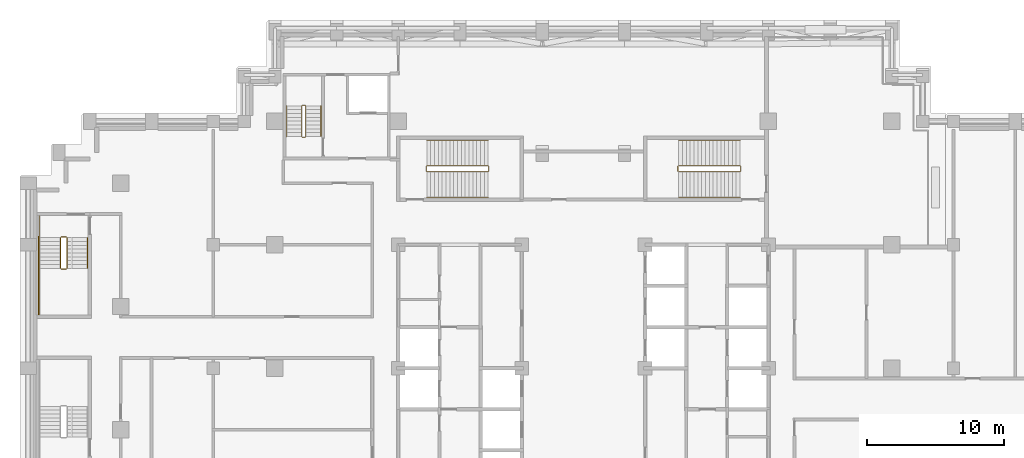
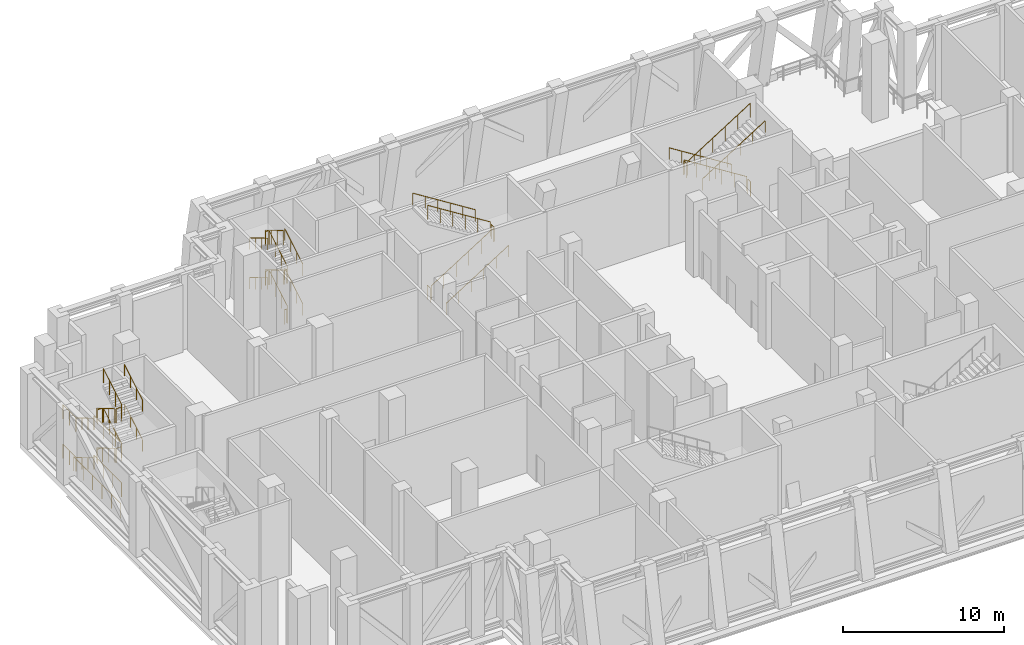
# One storey, part 13 of 14: 4 railings.
"""IFC4 building model written with IfcOpenShell, lengths in metres."""

from ifc_helpers import new_model, si_unit, direction, frame, origin, origin_2d, place, context, subcontext, project, spatial, circle, extrude, material, type_object, element, save


model = new_model("IFC4")

# Units and contexts
model_context = context("Model", 3, precision=1e-05, world=origin(), true_north=direction((0.0, 1.0)))
body_context = subcontext(model_context, "Body", "Model", "MODEL_VIEW")
ifc_project = project(units=[si_unit("LENGTHUNIT", "METRE"), si_unit("AREAUNIT", "SQUARE_METRE"), si_unit("VOLUMEUNIT", "CUBIC_METRE"), si_unit("PLANEANGLEUNIT", "RADIAN"), si_unit("MASSUNIT", "GRAM", prefix="KILO")], contexts=[model_context])

# Site, building, storey
site_placement = place(None, origin())
site = spatial("IfcSite", under=ifc_project, at=site_placement, CompositionType="ELEMENT")
building_placement = place(site_placement, origin())
building = spatial("IfcBuilding", under=site, at=building_placement, Name="Corbelhall Arena Tower", CompositionType="ELEMENT")
storey_placement = place(building_placement, frame((0.0, 0.0, 120.0)))
storey = spatial("IfcBuildingStorey", under=building, at=storey_placement, Name="L22", CompositionType="ELEMENT", Elevation=120.0)

# Railings
ifc_material = material(Name="Steel ASTM A500 Gr C", Category="steel")
railing_type = type_object("IfcRailingType", Name="IN-GD-1100", PredefinedType="GUARDRAIL", material=ifc_material)
railing_1_placement = place(storey_placement, frame((-11.425048828125, 14.324951171875, 0.176513671875)))
element("IfcRailing", 1, at=railing_1_placement, inside=storey, type_object=railing_type, Name="L22 ST1 stair guards and handrails", PredefinedType="GUARDRAIL", context=body_context, shape_type="SweptSolid", body=[
    extrude(circle(Radius=0.02392578125, at=origin_2d()), frame((0.0, 0.0, 1.076171875), z_axis=(0.845997938375, 0.0, 0.533186166611), x_axis=(0.0, 1.0, 0.0)), (0.0, 0.0, 1.0), 5.29541015625),
    extrude(circle(Radius=0.02392578125, at=origin_2d()), frame((4.530029296875, 0.050048828125, 3.8994140625), z_axis=(0.0, 1.0, 0.0), x_axis=(-1.0, 0.0, 0.0)), (0.0, 0.0, 1.0), 0.35009765625),
    extrude(circle(Radius=0.02392578125, at=origin_2d()), frame((4.47998046875, 0.449951171875, 4.076171875), z_axis=(-0.845997938375, 0.0, 0.533186166611), x_axis=(0.0, -1.0, 0.0)), (0.0, 0.0, 1.0), 5.29541015625),
    extrude(circle(Radius=0.02392578125, at=origin_2d()), frame((-0.050048828125, 0.050048828125, 0.8994140625), z_axis=(0.0, 1.0, 0.0), x_axis=(-1.0, 0.0, 0.0)), (0.0, 0.0, 1.0), 0.35009765625),
    extrude(circle(Radius=0.02392578125, at=origin_2d()), frame((0.0, -1.849853515625, 0.8759765625), z_axis=(0.845997938375, 0.0, 0.533186166611), x_axis=(0.0, 1.0, 0.0)), (0.0, 0.0, 1.0), 5.29541015625),
    extrude(circle(Radius=0.02392578125, at=origin_2d()), frame((4.47998046875, 2.300048828125, 3.8759765625), z_axis=(-0.845997938375, 0.0, 0.533186166611), x_axis=(0.0, -1.0, 0.0)), (0.0, 0.0, 1.0), 5.29541015625),
    extrude(circle(Radius=0.02099609375, at=origin_2d()), origin(), (0.0, 0.0, 1.0), 1.052001953125),
    extrude(circle(Radius=0.02099609375, at=origin_2d()), frame((0.89599609375, 0.0, 0.564697265625)), (0.0, 0.0, 1.0), 1.052001953125),
    extrude(circle(Radius=0.02099609375, at=origin_2d()), frame((1.7919921875, 0.0, 1.12939453125)), (0.0, 0.0, 1.0), 1.052001953125),
    extrude(circle(Radius=0.02099609375, at=origin_2d()), frame((2.68798828125, 0.0, 1.694091796875)), (0.0, 0.0, 1.0), 1.052001953125),
    extrude(circle(Radius=0.02099609375, at=origin_2d()), frame((3.583984375, 0.0, 2.2587890625)), (0.0, 0.0, 1.0), 1.052001953125),
    extrude(circle(Radius=0.02099609375, at=origin_2d()), frame((4.47998046875, 0.0, 2.823486328125)), (0.0, 0.0, 1.0), 1.052001953125),
    extrude(circle(Radius=0.02099609375, at=origin_2d()), frame((4.530029296875, 0.050048828125, 2.823486328125)), (0.0, 0.0, 1.0), 1.052001953125),
    extrude(circle(Radius=0.02099609375, at=origin_2d()), frame((4.530029296875, 0.400146484375, 2.823486328125)), (0.0, 0.0, 1.0), 1.052001953125),
    extrude(circle(Radius=0.02099609375, at=origin_2d()), frame((4.47998046875, 0.449951171875, 3.0)), (0.0, 0.0, 1.0), 1.052001953125),
    extrude(circle(Radius=0.02099609375, at=origin_2d()), frame((3.583984375, 0.449951171875, 3.564697265625)), (0.0, 0.0, 1.0), 1.052001953125),
    extrude(circle(Radius=0.02099609375, at=origin_2d()), frame((2.68798828125, 0.449951171875, 4.12939453125)), (0.0, 0.0, 1.0), 1.052001953125),
    extrude(circle(Radius=0.02099609375, at=origin_2d()), frame((1.7919921875, 0.449951171875, 4.694091796875)), (0.0, 0.0, 1.0), 1.052001953125),
    extrude(circle(Radius=0.02099609375, at=origin_2d()), frame((0.89599609375, 0.449951171875, 5.2587890625)), (0.0, 0.0, 1.0), 1.052001953125),
    extrude(circle(Radius=0.02099609375, at=origin_2d()), frame((0.0, 0.449951171875, 5.823486328125)), (0.0, 0.0, 1.0), 1.052001953125),
    extrude(circle(Radius=0.02099609375, at=origin_2d()), frame((-0.050048828125, 0.050048828125, -0.176513671875)), (0.0, 0.0, 1.0), 1.052001953125),
    extrude(circle(Radius=0.02099609375, at=origin_2d()), frame((-0.050048828125, 0.400146484375, -0.176513671875)), (0.0, 0.0, 1.0), 1.052001953125),
    extrude(circle(Radius=0.02099609375, at=origin_2d()), frame((0.0, -1.849853515625, 0.0)), (0.0, 0.0, 1.0), 0.851806640625),
    extrude(circle(Radius=0.02099609375, at=origin_2d()), frame((0.89599609375, -1.849853515625, 0.564697265625)), (0.0, 0.0, 1.0), 0.851806640625),
    extrude(circle(Radius=0.02099609375, at=origin_2d()), frame((1.7919921875, -1.849853515625, 1.12939453125)), (0.0, 0.0, 1.0), 0.851806640625),
    extrude(circle(Radius=0.02099609375, at=origin_2d()), frame((2.68798828125, -1.849853515625, 1.694091796875)), (0.0, 0.0, 1.0), 0.851806640625),
    extrude(circle(Radius=0.02099609375, at=origin_2d()), frame((3.583984375, -1.849853515625, 2.2587890625)), (0.0, 0.0, 1.0), 0.851806640625),
    extrude(circle(Radius=0.02099609375, at=origin_2d()), frame((4.47998046875, -1.849853515625, 2.823486328125)), (0.0, 0.0, 1.0), 0.851806640625),
    extrude(circle(Radius=0.02099609375, at=origin_2d()), frame((4.47998046875, 2.300048828125, 3.0)), (0.0, 0.0, 1.0), 0.851806640625),
    extrude(circle(Radius=0.02099609375, at=origin_2d()), frame((3.583984375, 2.300048828125, 3.564697265625)), (0.0, 0.0, 1.0), 0.851806640625),
    extrude(circle(Radius=0.02099609375, at=origin_2d()), frame((2.68798828125, 2.300048828125, 4.12939453125)), (0.0, 0.0, 1.0), 0.851806640625),
    extrude(circle(Radius=0.02099609375, at=origin_2d()), frame((1.7919921875, 2.300048828125, 4.694091796875)), (0.0, 0.0, 1.0), 0.851806640625),
    extrude(circle(Radius=0.02099609375, at=origin_2d()), frame((0.89599609375, 2.300048828125, 5.2587890625)), (0.0, 0.0, 1.0), 0.851806640625),
    extrude(circle(Radius=0.02099609375, at=origin_2d()), frame((0.0, 2.300048828125, 5.823486328125)), (0.0, 0.0, 1.0), 0.851806640625),
])
railing_2_placement = place(storey_placement, frame((11.425048828125, 14.77490234375, 0.176513671875)))
element("IfcRailing", 2, at=railing_2_placement, inside=storey, type_object=railing_type, Name="L22 ST3 stair guards and handrails", PredefinedType="GUARDRAIL", context=body_context, shape_type="SweptSolid", body=[
    extrude(circle(Radius=0.02392578125, at=origin_2d()), frame((0.0, 0.0, 1.076171875), z_axis=(-0.845997938375, 0.0, 0.533186166611), x_axis=(0.0, -1.0, 0.0)), (0.0, 0.0, 1.0), 5.29541015625),
    extrude(circle(Radius=0.02392578125, at=origin_2d()), frame((-4.530029296875, -0.0498046875, 3.8994140625), z_axis=(0.0, -1.0, 0.0), x_axis=(1.0, 0.0, 0.0)), (0.0, 0.0, 1.0), 0.35009765625),
    extrude(circle(Radius=0.02392578125, at=origin_2d()), frame((-4.47998046875, -0.449951171875, 4.076171875), z_axis=(0.845997938375, 0.0, 0.533186166611), x_axis=(0.0, 1.0, 0.0)), (0.0, 0.0, 1.0), 5.29541015625),
    extrude(circle(Radius=0.02392578125, at=origin_2d()), frame((0.050048828125, -0.0498046875, 0.8994140625), z_axis=(0.0, -1.0, 0.0), x_axis=(1.0, 0.0, 0.0)), (0.0, 0.0, 1.0), 0.35009765625),
    extrude(circle(Radius=0.02392578125, at=origin_2d()), frame((0.0, 1.85009765625, 0.8759765625), z_axis=(-0.845997938375, 0.0, 0.533186166611), x_axis=(0.0, -1.0, 0.0)), (0.0, 0.0, 1.0), 5.29541015625),
    extrude(circle(Radius=0.02392578125, at=origin_2d()), frame((-4.47998046875, -2.2998046875, 3.8759765625), z_axis=(0.845997938375, 0.0, 0.533186166611), x_axis=(0.0, 1.0, 0.0)), (0.0, 0.0, 1.0), 5.29541015625),
    extrude(circle(Radius=0.02099609375, at=origin_2d()), origin(), (0.0, 0.0, 1.0), 1.052001953125),
    extrude(circle(Radius=0.02099609375, at=origin_2d()), frame((-0.89599609375, 0.0, 0.564697265625)), (0.0, 0.0, 1.0), 1.052001953125),
    extrude(circle(Radius=0.02099609375, at=origin_2d()), frame((-1.7919921875, 0.0, 1.12939453125)), (0.0, 0.0, 1.0), 1.052001953125),
    extrude(circle(Radius=0.02099609375, at=origin_2d()), frame((-2.68798828125, 0.0, 1.694091796875)), (0.0, 0.0, 1.0), 1.052001953125),
    extrude(circle(Radius=0.02099609375, at=origin_2d()), frame((-3.583984375, 0.0, 2.2587890625)), (0.0, 0.0, 1.0), 1.052001953125),
    extrude(circle(Radius=0.02099609375, at=origin_2d()), frame((-4.47998046875, 0.0, 2.823486328125)), (0.0, 0.0, 1.0), 1.052001953125),
    extrude(circle(Radius=0.02099609375, at=origin_2d()), frame((-4.530029296875, -0.0498046875, 2.823486328125)), (0.0, 0.0, 1.0), 1.052001953125),
    extrude(circle(Radius=0.02099609375, at=origin_2d()), frame((-4.530029296875, -0.39990234375, 2.823486328125)), (0.0, 0.0, 1.0), 1.052001953125),
    extrude(circle(Radius=0.02099609375, at=origin_2d()), frame((-4.47998046875, -0.449951171875, 3.0)), (0.0, 0.0, 1.0), 1.052001953125),
    extrude(circle(Radius=0.02099609375, at=origin_2d()), frame((-3.583984375, -0.449951171875, 3.564697265625)), (0.0, 0.0, 1.0), 1.052001953125),
    extrude(circle(Radius=0.02099609375, at=origin_2d()), frame((-2.68798828125, -0.449951171875, 4.12939453125)), (0.0, 0.0, 1.0), 1.052001953125),
    extrude(circle(Radius=0.02099609375, at=origin_2d()), frame((-1.7919921875, -0.449951171875, 4.694091796875)), (0.0, 0.0, 1.0), 1.052001953125),
    extrude(circle(Radius=0.02099609375, at=origin_2d()), frame((-0.89599609375, -0.449951171875, 5.2587890625)), (0.0, 0.0, 1.0), 1.052001953125),
    extrude(circle(Radius=0.02099609375, at=origin_2d()), frame((0.0, -0.449951171875, 5.823486328125)), (0.0, 0.0, 1.0), 1.052001953125),
    extrude(circle(Radius=0.02099609375, at=origin_2d()), frame((0.050048828125, -0.0498046875, -0.176513671875)), (0.0, 0.0, 1.0), 1.052001953125),
    extrude(circle(Radius=0.02099609375, at=origin_2d()), frame((0.050048828125, -0.39990234375, -0.176513671875)), (0.0, 0.0, 1.0), 1.052001953125),
    extrude(circle(Radius=0.02099609375, at=origin_2d()), frame((0.0, 1.85009765625, 0.0)), (0.0, 0.0, 1.0), 0.851806640625),
    extrude(circle(Radius=0.02099609375, at=origin_2d()), frame((-0.89599609375, 1.85009765625, 0.564697265625)), (0.0, 0.0, 1.0), 0.851806640625),
    extrude(circle(Radius=0.02099609375, at=origin_2d()), frame((-1.7919921875, 1.85009765625, 1.12939453125)), (0.0, 0.0, 1.0), 0.851806640625),
    extrude(circle(Radius=0.02099609375, at=origin_2d()), frame((-2.68798828125, 1.85009765625, 1.694091796875)), (0.0, 0.0, 1.0), 0.851806640625),
    extrude(circle(Radius=0.02099609375, at=origin_2d()), frame((-3.583984375, 1.85009765625, 2.2587890625)), (0.0, 0.0, 1.0), 0.851806640625),
    extrude(circle(Radius=0.02099609375, at=origin_2d()), frame((-4.47998046875, 1.85009765625, 2.823486328125)), (0.0, 0.0, 1.0), 0.851806640625),
    extrude(circle(Radius=0.02099609375, at=origin_2d()), frame((-4.47998046875, -2.2998046875, 3.0)), (0.0, 0.0, 1.0), 0.851806640625),
    extrude(circle(Radius=0.02099609375, at=origin_2d()), frame((-3.583984375, -2.2998046875, 3.564697265625)), (0.0, 0.0, 1.0), 0.851806640625),
    extrude(circle(Radius=0.02099609375, at=origin_2d()), frame((-2.68798828125, -2.2998046875, 4.12939453125)), (0.0, 0.0, 1.0), 0.851806640625),
    extrude(circle(Radius=0.02099609375, at=origin_2d()), frame((-1.7919921875, -2.2998046875, 4.694091796875)), (0.0, 0.0, 1.0), 0.851806640625),
    extrude(circle(Radius=0.02099609375, at=origin_2d()), frame((-0.89599609375, -2.2998046875, 5.2587890625)), (0.0, 0.0, 1.0), 0.851806640625),
    extrude(circle(Radius=0.02099609375, at=origin_2d()), frame((0.0, -2.2998046875, 5.823486328125)), (0.0, 0.0, 1.0), 0.851806640625),
])
railing_3_placement = place(storey_placement, frame((-38.14990234375, 9.52490234375, 0.166748046875)))
element("IfcRailing", 3, at=railing_3_placement, inside=storey, type_object=railing_type, Name="L22 SC1 stair guards and handrails", PredefinedType="GUARDRAIL", context=body_context, shape_type="SweptSolid", body=[
    extrude(circle(Radius=0.02392578125, at=origin_2d()), frame((0.0, 0.0, 1.076171875), z_axis=(0.0, -0.859305625298, 0.511462454469), x_axis=(1.0, 0.0, 0.0)), (0.0, 0.0, 1.0), 2.606689453125),
    extrude(circle(Radius=0.02392578125, at=origin_2d()), frame((0.0498046875, -2.289794921875, 2.4091796875), z_axis=(1.0, 0.0, 0.0), x_axis=(0.0, 1.0, 0.0)), (0.0, 0.0, 1.0), 0.375),
    extrude(circle(Radius=0.02392578125, at=origin_2d()), frame((-1.5, -2.239990234375, 2.4091796875), z_axis=(0.0, -1.0, 0.0), x_axis=(1.0, 0.0, 0.0)), (0.0, 0.0, 1.0), 3.409912109375),
    extrude(circle(Radius=0.02392578125, at=origin_2d()), frame((0.474853515625, -2.239990234375, 2.576171875), z_axis=(0.0, 0.859305625298, 0.511462454469), x_axis=(-1.0, 0.0, 0.0)), (0.0, 0.0, 1.0), 2.606689453125),
    extrude(circle(Radius=0.02392578125, at=origin_2d()), frame((0.0498046875, 0.050048828125, 3.9091796875), z_axis=(1.0, 0.0, 0.0), x_axis=(0.0, 1.0, 0.0)), (0.0, 0.0, 1.0), 0.375),
    extrude(circle(Radius=0.02392578125, at=origin_2d()), frame((-1.5, 1.60009765625, 3.9091796875), z_axis=(0.0, -1.0, 0.0), x_axis=(1.0, 0.0, 0.0)), (0.0, 0.0, 1.0), 1.60009765625),
    extrude(circle(Radius=0.02392578125, at=origin_2d()), frame((0.0, 0.0, 4.076171875), z_axis=(0.0, -0.859305625298, 0.511462454469), x_axis=(1.0, 0.0, 0.0)), (0.0, 0.0, 1.0), 2.606689453125),
    extrude(circle(Radius=0.02392578125, at=origin_2d()), frame((0.0498046875, -2.289794921875, 5.4091796875), z_axis=(1.0, 0.0, 0.0), x_axis=(0.0, 1.0, 0.0)), (0.0, 0.0, 1.0), 0.375),
    extrude(circle(Radius=0.02392578125, at=origin_2d()), frame((-1.5, -2.239990234375, 5.4091796875), z_axis=(0.0, -1.0, 0.0), x_axis=(1.0, 0.0, 0.0)), (0.0, 0.0, 1.0), 3.409912109375),
    extrude(circle(Radius=0.02392578125, at=origin_2d()), frame((0.474853515625, -2.239990234375, 5.576171875), z_axis=(0.0, 0.859305625298, 0.511462454469), x_axis=(-1.0, 0.0, 0.0)), (0.0, 0.0, 1.0), 2.606689453125),
    extrude(circle(Radius=0.02392578125, at=origin_2d()), frame((0.0498046875, 0.050048828125, 0.9091796875), z_axis=(1.0, 0.0, 0.0), x_axis=(0.0, 1.0, 0.0)), (0.0, 0.0, 1.0), 0.375),
    extrude(circle(Radius=0.02392578125, at=origin_2d()), frame((-1.5, 1.60009765625, 0.9091796875), z_axis=(0.0, -1.0, 0.0), x_axis=(1.0, 0.0, 0.0)), (0.0, 0.0, 1.0), 1.60009765625),
    extrude(circle(Radius=0.02392578125, at=origin_2d()), frame((-1.60009765625, 0.10009765625, 0.9091796875), z_axis=(0.0, -1.0, 0.0), x_axis=(1.0, 0.0, 0.0)), (0.0, 0.0, 1.0), 5.85009765625),
    extrude(circle(Radius=0.02392578125, at=origin_2d()), frame((-1.5, 0.0, 0.8759765625), z_axis=(0.0, -0.859305625298, 0.511462454469), x_axis=(1.0, 0.0, 0.0)), (0.0, 0.0, 1.0), 2.606689453125),
    extrude(circle(Radius=0.02392578125, at=origin_2d()), frame((1.974853515625, -2.239990234375, 2.3759765625), z_axis=(0.0, 0.859305625298, 0.511462454469), x_axis=(-1.0, 0.0, 0.0)), (0.0, 0.0, 1.0), 2.606689453125),
    extrude(circle(Radius=0.02392578125, at=origin_2d()), frame((-1.5, 0.0, 3.8759765625), z_axis=(0.0, -0.859305625298, 0.511462454469), x_axis=(1.0, 0.0, 0.0)), (0.0, 0.0, 1.0), 2.606689453125),
    extrude(circle(Radius=0.02392578125, at=origin_2d()), frame((1.974853515625, -2.239990234375, 5.3759765625), z_axis=(0.0, 0.859305625298, 0.511462454469), x_axis=(-1.0, 0.0, 0.0)), (0.0, 0.0, 1.0), 2.606689453125),
    extrude(circle(Radius=0.02099609375, at=origin_2d()), origin(), (0.0, 0.0, 1.0), 1.052001953125),
    extrude(circle(Radius=0.02099609375, at=origin_2d()), frame((0.0, -0.74658203125, 0.4443359375)), (0.0, 0.0, 1.0), 1.052001953125),
    extrude(circle(Radius=0.02099609375, at=origin_2d()), frame((0.0, -1.493408203125, 0.888916015625)), (0.0, 0.0, 1.0), 1.052001953125),
    extrude(circle(Radius=0.02099609375, at=origin_2d()), frame((0.0, -2.239990234375, 1.333251953125)), (0.0, 0.0, 1.0), 1.052001953125),
    extrude(circle(Radius=0.02099609375, at=origin_2d()), frame((0.0498046875, -2.289794921875, 1.333251953125)), (0.0, 0.0, 1.0), 1.052001953125),
    extrude(circle(Radius=0.02099609375, at=origin_2d()), frame((0.4248046875, -2.289794921875, 1.333251953125)), (0.0, 0.0, 1.0), 1.052001953125),
    extrude(circle(Radius=0.02099609375, at=origin_2d()), frame((-1.5, -2.239990234375, 1.333251953125)), (0.0, 0.0, 1.0), 1.052001953125),
    extrude(circle(Radius=0.02099609375, at=origin_2d()), frame((-1.5, -3.376708984375, 1.333251953125)), (0.0, 0.0, 1.0), 1.052001953125),
    extrude(circle(Radius=0.02099609375, at=origin_2d()), frame((-1.5, -4.51318359375, 1.333251953125)), (0.0, 0.0, 1.0), 1.052001953125),
    extrude(circle(Radius=0.02099609375, at=origin_2d()), frame((-1.5, -5.64990234375, 1.333251953125)), (0.0, 0.0, 1.0), 1.052001953125),
    extrude(circle(Radius=0.02099609375, at=origin_2d()), frame((0.474853515625, -2.239990234375, 1.5)), (0.0, 0.0, 1.0), 1.052001953125),
    extrude(circle(Radius=0.02099609375, at=origin_2d()), frame((0.474853515625, -1.493408203125, 1.9443359375)), (0.0, 0.0, 1.0), 1.052001953125),
    extrude(circle(Radius=0.02099609375, at=origin_2d()), frame((0.474853515625, -0.74658203125, 2.388916015625)), (0.0, 0.0, 1.0), 1.052001953125),
    extrude(circle(Radius=0.02099609375, at=origin_2d()), frame((0.474853515625, 0.0, 2.833251953125)), (0.0, 0.0, 1.0), 1.052001953125),
    extrude(circle(Radius=0.02099609375, at=origin_2d()), frame((0.0498046875, 0.050048828125, 2.833251953125)), (0.0, 0.0, 1.0), 1.052001953125),
    extrude(circle(Radius=0.02099609375, at=origin_2d()), frame((0.4248046875, 0.050048828125, 2.833251953125)), (0.0, 0.0, 1.0), 1.052001953125),
    extrude(circle(Radius=0.02099609375, at=origin_2d()), frame((-1.5, 1.60009765625, 2.833251953125)), (0.0, 0.0, 1.0), 1.052001953125),
    extrude(circle(Radius=0.02099609375, at=origin_2d()), frame((-1.5, 0.800048828125, 2.833251953125)), (0.0, 0.0, 1.0), 1.052001953125),
    extrude(circle(Radius=0.02099609375, at=origin_2d()), frame((-1.5, 0.0, 2.833251953125)), (0.0, 0.0, 1.0), 1.052001953125),
    extrude(circle(Radius=0.02099609375, at=origin_2d()), frame((0.0, 0.0, 3.0)), (0.0, 0.0, 1.0), 1.052001953125),
    extrude(circle(Radius=0.02099609375, at=origin_2d()), frame((0.0, -0.74658203125, 3.4443359375)), (0.0, 0.0, 1.0), 1.052001953125),
    extrude(circle(Radius=0.02099609375, at=origin_2d()), frame((0.0, -1.493408203125, 3.888916015625)), (0.0, 0.0, 1.0), 1.052001953125),
    extrude(circle(Radius=0.02099609375, at=origin_2d()), frame((0.0, -2.239990234375, 4.333251953125)), (0.0, 0.0, 1.0), 1.052001953125),
    extrude(circle(Radius=0.02099609375, at=origin_2d()), frame((0.0498046875, -2.289794921875, 4.333251953125)), (0.0, 0.0, 1.0), 1.052001953125),
    extrude(circle(Radius=0.02099609375, at=origin_2d()), frame((0.4248046875, -2.289794921875, 4.333251953125)), (0.0, 0.0, 1.0), 1.052001953125),
    extrude(circle(Radius=0.02099609375, at=origin_2d()), frame((-1.5, -2.239990234375, 4.333251953125)), (0.0, 0.0, 1.0), 1.052001953125),
    extrude(circle(Radius=0.02099609375, at=origin_2d()), frame((-1.5, -3.376708984375, 4.333251953125)), (0.0, 0.0, 1.0), 1.052001953125),
    extrude(circle(Radius=0.02099609375, at=origin_2d()), frame((-1.5, -4.51318359375, 4.333251953125)), (0.0, 0.0, 1.0), 1.052001953125),
    extrude(circle(Radius=0.02099609375, at=origin_2d()), frame((-1.5, -5.64990234375, 4.333251953125)), (0.0, 0.0, 1.0), 1.052001953125),
    extrude(circle(Radius=0.02099609375, at=origin_2d()), frame((0.474853515625, -2.239990234375, 4.5)), (0.0, 0.0, 1.0), 1.052001953125),
    extrude(circle(Radius=0.02099609375, at=origin_2d()), frame((0.474853515625, -1.493408203125, 4.9443359375)), (0.0, 0.0, 1.0), 1.052001953125),
    extrude(circle(Radius=0.02099609375, at=origin_2d()), frame((0.474853515625, -0.74658203125, 5.388916015625)), (0.0, 0.0, 1.0), 1.052001953125),
    extrude(circle(Radius=0.02099609375, at=origin_2d()), frame((0.474853515625, 0.0, 5.833251953125)), (0.0, 0.0, 1.0), 1.052001953125),
    extrude(circle(Radius=0.02099609375, at=origin_2d()), frame((0.0498046875, 0.050048828125, -0.166748046875)), (0.0, 0.0, 1.0), 1.052001953125),
    extrude(circle(Radius=0.02099609375, at=origin_2d()), frame((0.4248046875, 0.050048828125, -0.166748046875)), (0.0, 0.0, 1.0), 1.052001953125),
    extrude(circle(Radius=0.02099609375, at=origin_2d()), frame((-1.5, 1.60009765625, -0.166748046875)), (0.0, 0.0, 1.0), 1.052001953125),
    extrude(circle(Radius=0.02099609375, at=origin_2d()), frame((-1.5, 0.800048828125, -0.166748046875)), (0.0, 0.0, 1.0), 1.052001953125),
    extrude(circle(Radius=0.02099609375, at=origin_2d()), frame((-1.5, 0.0, -0.166748046875)), (0.0, 0.0, 1.0), 1.052001953125),
    extrude(circle(Radius=0.02099609375, at=origin_2d()), frame((-1.60009765625, 0.10009765625, -0.166748046875)), (0.0, 0.0, 1.0), 1.052001953125),
    extrude(circle(Radius=0.02099609375, at=origin_2d()), frame((-1.60009765625, -1.06982421875, -0.166748046875)), (0.0, 0.0, 1.0), 1.052001953125),
    extrude(circle(Radius=0.02099609375, at=origin_2d()), frame((-1.60009765625, -2.239990234375, -0.166748046875)), (0.0, 0.0, 1.0), 1.052001953125),
    extrude(circle(Radius=0.02099609375, at=origin_2d()), frame((-1.60009765625, -3.409912109375, -0.166748046875)), (0.0, 0.0, 1.0), 1.052001953125),
    extrude(circle(Radius=0.02099609375, at=origin_2d()), frame((-1.60009765625, -4.580078125, -0.166748046875)), (0.0, 0.0, 1.0), 1.052001953125),
    extrude(circle(Radius=0.02099609375, at=origin_2d()), frame((-1.60009765625, -5.75, -0.166748046875)), (0.0, 0.0, 1.0), 1.052001953125),
    extrude(circle(Radius=0.02099609375, at=origin_2d()), frame((-1.5, 0.0, 0.0)), (0.0, 0.0, 1.0), 0.851806640625),
    extrude(circle(Radius=0.02099609375, at=origin_2d()), frame((-1.5, -0.74658203125, 0.4443359375)), (0.0, 0.0, 1.0), 0.851806640625),
    extrude(circle(Radius=0.02099609375, at=origin_2d()), frame((-1.5, -1.493408203125, 0.888916015625)), (0.0, 0.0, 1.0), 0.851806640625),
    extrude(circle(Radius=0.02099609375, at=origin_2d()), frame((1.974853515625, -2.239990234375, 1.5)), (0.0, 0.0, 1.0), 0.851806640625),
    extrude(circle(Radius=0.02099609375, at=origin_2d()), frame((1.974853515625, -1.493408203125, 1.9443359375)), (0.0, 0.0, 1.0), 0.851806640625),
    extrude(circle(Radius=0.02099609375, at=origin_2d()), frame((1.974853515625, -0.74658203125, 2.388916015625)), (0.0, 0.0, 1.0), 0.851806640625),
    extrude(circle(Radius=0.02099609375, at=origin_2d()), frame((1.974853515625, 0.0, 2.833251953125)), (0.0, 0.0, 1.0), 0.851806640625),
    extrude(circle(Radius=0.02099609375, at=origin_2d()), frame((-1.5, 0.0, 3.0)), (0.0, 0.0, 1.0), 0.851806640625),
    extrude(circle(Radius=0.02099609375, at=origin_2d()), frame((-1.5, -0.74658203125, 3.4443359375)), (0.0, 0.0, 1.0), 0.851806640625),
    extrude(circle(Radius=0.02099609375, at=origin_2d()), frame((-1.5, -1.493408203125, 3.888916015625)), (0.0, 0.0, 1.0), 0.851806640625),
    extrude(circle(Radius=0.02099609375, at=origin_2d()), frame((1.974853515625, -2.239990234375, 4.5)), (0.0, 0.0, 1.0), 0.851806640625),
    extrude(circle(Radius=0.02099609375, at=origin_2d()), frame((1.974853515625, -1.493408203125, 4.9443359375)), (0.0, 0.0, 1.0), 0.851806640625),
    extrude(circle(Radius=0.02099609375, at=origin_2d()), frame((1.974853515625, -0.74658203125, 5.388916015625)), (0.0, 0.0, 1.0), 0.851806640625),
    extrude(circle(Radius=0.02099609375, at=origin_2d()), frame((1.974853515625, 0.0, 5.833251953125)), (0.0, 0.0, 1.0), 0.851806640625),
])
railing_4_placement = place(storey_placement, frame((-20.2451171875, 16.89990234375, 0.166748046875)))
element("IfcRailing", 4, at=railing_4_placement, inside=storey, type_object=railing_type, Name="L22 ST5 stair guards and handrails", PredefinedType="GUARDRAIL", context=body_context, shape_type="SweptSolid", body=[
    extrude(circle(Radius=0.02392578125, at=origin_2d()), frame((0.0, 0.0, 1.076171875), z_axis=(0.0, 0.859305625298, 0.511462454469), x_axis=(-1.0, 0.0, 0.0)), (0.0, 0.0, 1.0), 2.606689453125),
    extrude(circle(Radius=0.02392578125, at=origin_2d()), frame((-0.0498046875, 2.2900390625, 2.4091796875), z_axis=(-1.0, 0.0, 0.0), x_axis=(0.0, -1.0, 0.0)), (0.0, 0.0, 1.0), 0.2001953125),
    extrude(circle(Radius=0.02392578125, at=origin_2d()), frame((-0.2998046875, 2.239990234375, 2.576171875), z_axis=(0.0, -0.859305625298, 0.511462454469), x_axis=(1.0, 0.0, 0.0)), (0.0, 0.0, 1.0), 2.606689453125),
    extrude(circle(Radius=0.02392578125, at=origin_2d()), frame((-0.0498046875, -0.0498046875, 3.9091796875), z_axis=(-1.0, 0.0, 0.0), x_axis=(0.0, -1.0, 0.0)), (0.0, 0.0, 1.0), 0.2001953125),
    extrude(circle(Radius=0.02392578125, at=origin_2d()), frame((0.0, 0.0, 4.076171875), z_axis=(0.0, 0.859305625298, 0.511462454469), x_axis=(-1.0, 0.0, 0.0)), (0.0, 0.0, 1.0), 2.606689453125),
    extrude(circle(Radius=0.02392578125, at=origin_2d()), frame((-0.0498046875, 2.2900390625, 5.4091796875), z_axis=(-1.0, 0.0, 0.0), x_axis=(0.0, -1.0, 0.0)), (0.0, 0.0, 1.0), 0.2001953125),
    extrude(circle(Radius=0.02392578125, at=origin_2d()), frame((-0.2998046875, 2.239990234375, 5.576171875), z_axis=(0.0, -0.859305625298, 0.511462454469), x_axis=(1.0, 0.0, 0.0)), (0.0, 0.0, 1.0), 2.606689453125),
    extrude(circle(Radius=0.02392578125, at=origin_2d()), frame((-0.0498046875, -0.0498046875, 0.9091796875), z_axis=(-1.0, 0.0, 0.0), x_axis=(0.0, -1.0, 0.0)), (0.0, 0.0, 1.0), 0.2001953125),
    extrude(circle(Radius=0.02392578125, at=origin_2d()), frame((1.10009765625, 0.0, 0.8759765625), z_axis=(0.0, 0.859305625298, 0.511462454469), x_axis=(-1.0, 0.0, 0.0)), (0.0, 0.0, 1.0), 2.606689453125),
    extrude(circle(Radius=0.02392578125, at=origin_2d()), frame((-1.39990234375, 2.239990234375, 2.3759765625), z_axis=(0.0, -0.859305625298, 0.511462454469), x_axis=(1.0, 0.0, 0.0)), (0.0, 0.0, 1.0), 2.606689453125),
    extrude(circle(Radius=0.02392578125, at=origin_2d()), frame((1.10009765625, 0.0, 3.8759765625), z_axis=(0.0, 0.859305625298, 0.511462454469), x_axis=(-1.0, 0.0, 0.0)), (0.0, 0.0, 1.0), 2.606689453125),
    extrude(circle(Radius=0.02392578125, at=origin_2d()), frame((-1.39990234375, 2.239990234375, 5.3759765625), z_axis=(0.0, -0.859305625298, 0.511462454469), x_axis=(1.0, 0.0, 0.0)), (0.0, 0.0, 1.0), 2.606689453125),
    extrude(circle(Radius=0.02099609375, at=origin_2d()), origin(), (0.0, 0.0, 1.0), 1.052001953125),
    extrude(circle(Radius=0.02099609375, at=origin_2d()), frame((0.0, 0.74658203125, 0.4443359375)), (0.0, 0.0, 1.0), 1.052001953125),
    extrude(circle(Radius=0.02099609375, at=origin_2d()), frame((0.0, 1.493408203125, 0.888916015625)), (0.0, 0.0, 1.0), 1.052001953125),
    extrude(circle(Radius=0.02099609375, at=origin_2d()), frame((0.0, 2.239990234375, 1.333251953125)), (0.0, 0.0, 1.0), 1.052001953125),
    extrude(circle(Radius=0.02099609375, at=origin_2d()), frame((-0.0498046875, 2.2900390625, 1.333251953125)), (0.0, 0.0, 1.0), 1.052001953125),
    extrude(circle(Radius=0.02099609375, at=origin_2d()), frame((-0.25, 2.2900390625, 1.333251953125)), (0.0, 0.0, 1.0), 1.052001953125),
    extrude(circle(Radius=0.02099609375, at=origin_2d()), frame((-0.2998046875, 2.239990234375, 1.5)), (0.0, 0.0, 1.0), 1.052001953125),
    extrude(circle(Radius=0.02099609375, at=origin_2d()), frame((-0.2998046875, 1.493408203125, 1.9443359375)), (0.0, 0.0, 1.0), 1.052001953125),
    extrude(circle(Radius=0.02099609375, at=origin_2d()), frame((-0.2998046875, 0.74658203125, 2.388916015625)), (0.0, 0.0, 1.0), 1.052001953125),
    extrude(circle(Radius=0.02099609375, at=origin_2d()), frame((-0.2998046875, 0.0, 2.833251953125)), (0.0, 0.0, 1.0), 1.052001953125),
    extrude(circle(Radius=0.02099609375, at=origin_2d()), frame((-0.0498046875, -0.0498046875, 2.833251953125)), (0.0, 0.0, 1.0), 1.052001953125),
    extrude(circle(Radius=0.02099609375, at=origin_2d()), frame((-0.25, -0.0498046875, 2.833251953125)), (0.0, 0.0, 1.0), 1.052001953125),
    extrude(circle(Radius=0.02099609375, at=origin_2d()), frame((0.0, 0.0, 3.0)), (0.0, 0.0, 1.0), 1.052001953125),
    extrude(circle(Radius=0.02099609375, at=origin_2d()), frame((0.0, 0.74658203125, 3.4443359375)), (0.0, 0.0, 1.0), 1.052001953125),
    extrude(circle(Radius=0.02099609375, at=origin_2d()), frame((0.0, 1.493408203125, 3.888916015625)), (0.0, 0.0, 1.0), 1.052001953125),
    extrude(circle(Radius=0.02099609375, at=origin_2d()), frame((0.0, 2.239990234375, 4.333251953125)), (0.0, 0.0, 1.0), 1.052001953125),
    extrude(circle(Radius=0.02099609375, at=origin_2d()), frame((-0.0498046875, 2.2900390625, 4.333251953125)), (0.0, 0.0, 1.0), 1.052001953125),
    extrude(circle(Radius=0.02099609375, at=origin_2d()), frame((-0.25, 2.2900390625, 4.333251953125)), (0.0, 0.0, 1.0), 1.052001953125),
    extrude(circle(Radius=0.02099609375, at=origin_2d()), frame((-0.2998046875, 2.239990234375, 4.5)), (0.0, 0.0, 1.0), 1.052001953125),
    extrude(circle(Radius=0.02099609375, at=origin_2d()), frame((-0.2998046875, 1.493408203125, 4.9443359375)), (0.0, 0.0, 1.0), 1.052001953125),
    extrude(circle(Radius=0.02099609375, at=origin_2d()), frame((-0.2998046875, 0.74658203125, 5.388916015625)), (0.0, 0.0, 1.0), 1.052001953125),
    extrude(circle(Radius=0.02099609375, at=origin_2d()), frame((-0.2998046875, 0.0, 5.833251953125)), (0.0, 0.0, 1.0), 1.052001953125),
    extrude(circle(Radius=0.02099609375, at=origin_2d()), frame((-0.0498046875, -0.0498046875, -0.166748046875)), (0.0, 0.0, 1.0), 1.052001953125),
    extrude(circle(Radius=0.02099609375, at=origin_2d()), frame((-0.25, -0.0498046875, -0.166748046875)), (0.0, 0.0, 1.0), 1.052001953125),
    extrude(circle(Radius=0.02099609375, at=origin_2d()), frame((1.10009765625, 0.0, 0.0)), (0.0, 0.0, 1.0), 0.851806640625),
    extrude(circle(Radius=0.02099609375, at=origin_2d()), frame((1.10009765625, 0.74658203125, 0.4443359375)), (0.0, 0.0, 1.0), 0.851806640625),
    extrude(circle(Radius=0.02099609375, at=origin_2d()), frame((1.10009765625, 1.493408203125, 0.888916015625)), (0.0, 0.0, 1.0), 0.851806640625),
    extrude(circle(Radius=0.02099609375, at=origin_2d()), frame((1.10009765625, 2.239990234375, 1.333251953125)), (0.0, 0.0, 1.0), 0.851806640625),
    extrude(circle(Radius=0.02099609375, at=origin_2d()), frame((-1.39990234375, 2.239990234375, 1.5)), (0.0, 0.0, 1.0), 0.851806640625),
    extrude(circle(Radius=0.02099609375, at=origin_2d()), frame((-1.39990234375, 1.493408203125, 1.9443359375)), (0.0, 0.0, 1.0), 0.851806640625),
    extrude(circle(Radius=0.02099609375, at=origin_2d()), frame((-1.39990234375, 0.74658203125, 2.388916015625)), (0.0, 0.0, 1.0), 0.851806640625),
    extrude(circle(Radius=0.02099609375, at=origin_2d()), frame((-1.39990234375, 0.0, 2.833251953125)), (0.0, 0.0, 1.0), 0.851806640625),
    extrude(circle(Radius=0.02099609375, at=origin_2d()), frame((1.10009765625, 0.0, 3.0)), (0.0, 0.0, 1.0), 0.851806640625),
    extrude(circle(Radius=0.02099609375, at=origin_2d()), frame((1.10009765625, 0.74658203125, 3.4443359375)), (0.0, 0.0, 1.0), 0.851806640625),
    extrude(circle(Radius=0.02099609375, at=origin_2d()), frame((1.10009765625, 1.493408203125, 3.888916015625)), (0.0, 0.0, 1.0), 0.851806640625),
    extrude(circle(Radius=0.02099609375, at=origin_2d()), frame((1.10009765625, 2.239990234375, 4.333251953125)), (0.0, 0.0, 1.0), 0.851806640625),
    extrude(circle(Radius=0.02099609375, at=origin_2d()), frame((-1.39990234375, 2.239990234375, 4.5)), (0.0, 0.0, 1.0), 0.851806640625),
    extrude(circle(Radius=0.02099609375, at=origin_2d()), frame((-1.39990234375, 1.493408203125, 4.9443359375)), (0.0, 0.0, 1.0), 0.851806640625),
    extrude(circle(Radius=0.02099609375, at=origin_2d()), frame((-1.39990234375, 0.74658203125, 5.388916015625)), (0.0, 0.0, 1.0), 0.851806640625),
    extrude(circle(Radius=0.02099609375, at=origin_2d()), frame((-1.39990234375, 0.0, 5.833251953125)), (0.0, 0.0, 1.0), 0.851806640625),
])

save(model, "model.ifc")
